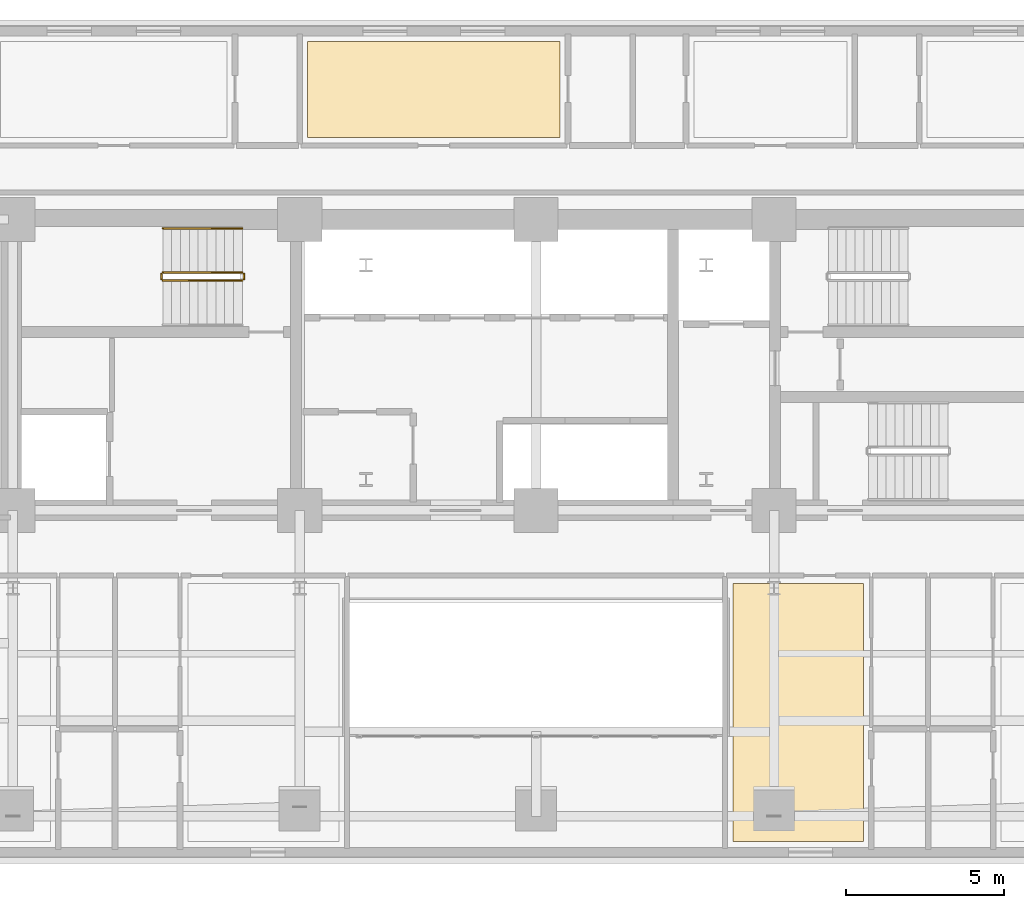
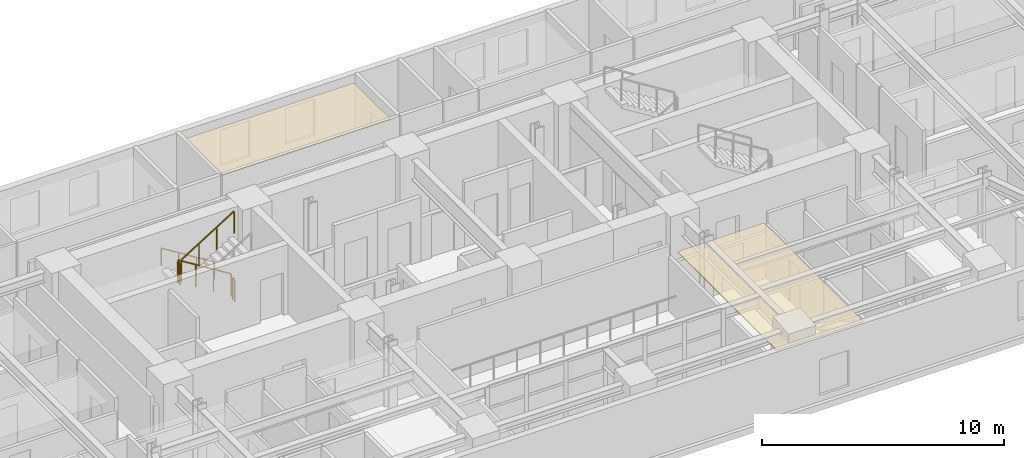
# One storey, part 15 of 16: 5 railings, 2 coverings.
"""IFC4 building model written with IfcOpenShell, lengths in metres."""

from ifc_helpers import new_model, si_unit, direction, frame, origin, origin_2d, place, context, subcontext, project, spatial, polyline, rectangle, outline, extrude, material, layer, layer_set, type_object, element, save


model = new_model("IFC4")

# Units and contexts
model_context = context("Model", 3, precision=1e-05, world=origin(), true_north=direction((0.0, 1.0)))
body_context = subcontext(model_context, "Body", "Model", "MODEL_VIEW")
ifc_project = project(units=[si_unit("LENGTHUNIT", "METRE"), si_unit("AREAUNIT", "SQUARE_METRE"), si_unit("VOLUMEUNIT", "CUBIC_METRE"), si_unit("PLANEANGLEUNIT", "RADIAN"), si_unit("MASSUNIT", "GRAM", prefix="KILO")], contexts=[model_context])

# Site, building, storey
site_placement = place(None, origin())
site = spatial("IfcSite", under=ifc_project, at=site_placement, CompositionType="ELEMENT")
building_placement = place(site_placement, origin())
building = spatial("IfcBuilding", under=site, at=building_placement, Name="Zarnavel Station Tower", CompositionType="ELEMENT")
storey_placement = place(building_placement, frame((0.0, 0.0, 86.300048828125)))
storey = spatial("IfcBuildingStorey", under=building, at=storey_placement, Name="L23", CompositionType="ELEMENT", Elevation=86.300048828125)

# Coverings
ifc_material_1 = material(Name="Perforated Gypsum and Mineral-Wool Acoustic Ceiling", Category="concrete")
ifc_layer = layer(ifc_material_1, 0.0400390625)
ifc_layer_set = layer_set([ifc_layer], Name="COV_CEIL_ACOUSTIC")
covering_type = type_object("IfcCoveringType", Name="COV_CEIL_ACOUSTIC", PredefinedType="CEILING", material=ifc_layer_set)
covering_1_placement = place(storey_placement, frame((0.0, 0.0, 2.919921875)))
element("IfcCovering", 1, at=covering_1_placement, inside=storey, type_object=covering_type, Name="L23 HN2R Acoustic Ceiling", PredefinedType="CEILING", context=body_context, shape_type="SweptSolid", body=[
    extrude(outline(polyline([(21.550048828125, 39.64990234375), (29.56494140625, 39.64990234375), (29.56494140625, 42.68994140625), (21.550048828125, 42.68994140625), (21.550048828125, 39.64990234375)])), origin(), (0.0, 0.0, 1.0), 0.0400390625),
])
covering_2_placement = place(storey_placement, frame((0.0, 0.0, 2.919921875)))
element("IfcCovering", 2, at=covering_2_placement, inside=storey, type_object=covering_type, Name="L23 HE1R Acoustic Ceiling", PredefinedType="CEILING", context=body_context, shape_type="SweptSolid", body=[
    extrude(outline(polyline([(35.050048828125, 17.31005859375), (39.18701171875, 17.31005859375), (39.18701171875, 25.5), (35.050048828125, 25.5), (35.050048828125, 17.31005859375)])), origin(), (0.0, 0.0, 1.0), 0.0400390625),
])

# Railings
ifc_material_2 = material(Name="Painted Steel S355J2 Balustrade", Category="steel")
railing_type_1 = type_object("IfcRailingType", Name="GR_INT_1150", PredefinedType="GUARDRAIL", material=ifc_material_2)
railing_1_placement = place(storey_placement, frame((19.47998046875, 35.3701171875, 0.175048828125)))
element("IfcRailing", 3, at=railing_1_placement, inside=storey, type_object=railing_type_1, Name="L23 ST1 stair guard 1", PredefinedType="GUARDRAIL", context=body_context, shape_type="SweptSolid", body=[
    extrude(rectangle(XDim=0.048095703125, YDim=0.048095703125, at=origin_2d()), frame((-0.001708984375, 0.0, 1.126953125), z_axis=(-0.848007534815, 0.0, 0.529984170421), x_axis=(0.0, -1.0, 0.0)), (0.0, 0.0, 1.0), 2.9677734375),
    extrude(rectangle(XDim=0.0419921875, YDim=0.0419921875, at=origin_2d()), origin(), (0.0, 0.0, 1.0), 1.101806640625),
    extrude(rectangle(XDim=0.0419921875, YDim=0.0419921875, at=origin_2d()), frame((-0.840087890625, 0.0, 0.52490234375)), (0.0, 0.0, 1.0), 1.101806640625),
    extrude(rectangle(XDim=0.0419921875, YDim=0.0419921875, at=origin_2d()), frame((-1.679931640625, 0.0, 1.050048828125)), (0.0, 0.0, 1.0), 1.101806640625),
    extrude(rectangle(XDim=0.0419921875, YDim=0.0419921875, at=origin_2d()), frame((-2.52001953125, 0.0, 1.574951171875)), (0.0, 0.0, 1.0), 1.101806640625),
])
railing_2_placement = place(storey_placement, frame((16.909912109375, 35.320068359375, 1.75)))
element("IfcRailing", 4, at=railing_2_placement, inside=storey, type_object=railing_type_1, Name="L23 ST1 stair guard 2", PredefinedType="GUARDRAIL", context=body_context, shape_type="SweptSolid", body=[
    extrude(rectangle(XDim=0.048095703125, YDim=0.048095703125, at=origin_2d()), frame((0.0, -0.001953125, 1.1259765625), z_axis=(0.0, -1.0, 0.0), x_axis=(1.0, 0.0, 0.0)), (0.0, 0.0, 1.0), 0.15625),
    extrude(rectangle(XDim=0.0419921875, YDim=0.0419921875, at=origin_2d()), origin(), (0.0, 0.0, 1.0), 1.101806640625),
    extrude(rectangle(XDim=0.0419921875, YDim=0.0419921875, at=origin_2d()), frame((0.0, -0.16015625, 0.0)), (0.0, 0.0, 1.0), 1.101806640625),
])
railing_3_placement = place(storey_placement, frame((16.9599609375, 35.110107421875, 1.925048828125)))
element("IfcRailing", 5, at=railing_3_placement, inside=storey, type_object=railing_type_1, Name="L23 ST1 stair guard 3", PredefinedType="GUARDRAIL", context=body_context, shape_type="SweptSolid", body=[
    extrude(rectangle(XDim=0.048095703125, YDim=0.048095703125, at=origin_2d()), frame((0.001708984375, 0.0, 1.126953125), z_axis=(0.848007534815, 0.0, 0.529984170421), x_axis=(0.0, 1.0, 0.0)), (0.0, 0.0, 1.0), 2.9677734375),
    extrude(rectangle(XDim=0.0419921875, YDim=0.0419921875, at=origin_2d()), origin(), (0.0, 0.0, 1.0), 1.101806640625),
    extrude(rectangle(XDim=0.0419921875, YDim=0.0419921875, at=origin_2d()), frame((0.840087890625, 0.0, 0.52490234375)), (0.0, 0.0, 1.0), 1.101806640625),
    extrude(rectangle(XDim=0.0419921875, YDim=0.0419921875, at=origin_2d()), frame((1.679931640625, 0.0, 1.050048828125)), (0.0, 0.0, 1.0), 1.101806640625),
    extrude(rectangle(XDim=0.0419921875, YDim=0.0419921875, at=origin_2d()), frame((2.52001953125, 0.0, 1.574951171875)), (0.0, 0.0, 1.0), 1.101806640625),
])
railing_4_placement = place(storey_placement, frame((19.530029296875, 35.320068359375, 0.0)))
element("IfcRailing", 6, at=railing_4_placement, inside=storey, type_object=railing_type_1, Name="L23 ST1 stair guard 4", PredefinedType="GUARDRAIL", context=body_context, shape_type="SweptSolid", body=[
    extrude(rectangle(XDim=0.048095703125, YDim=0.048095703125, at=origin_2d()), frame((0.0, -0.001953125, 1.1259765625), z_axis=(0.0, -1.0, 0.0), x_axis=(1.0, 0.0, 0.0)), (0.0, 0.0, 1.0), 0.15625),
    extrude(rectangle(XDim=0.0419921875, YDim=0.0419921875, at=origin_2d()), origin(), (0.0, 0.0, 1.0), 1.101806640625),
    extrude(rectangle(XDim=0.0419921875, YDim=0.0419921875, at=origin_2d()), frame((0.0, -0.16015625, 0.0)), (0.0, 0.0, 1.0), 1.101806640625),
])
ifc_material_3 = material(Name="Brushed Stainless Steel S355J2 Handrail", Category="steel")
railing_type_2 = type_object("IfcRailingType", Name="HR_STAIR_900", PredefinedType="HANDRAIL", material=ifc_material_3)
railing_5_placement = place(storey_placement, frame((19.47998046875, 36.77001953125, 0.175048828125)))
element("IfcRailing", 7, at=railing_5_placement, inside=storey, type_object=railing_type_2, Name="L23 ST1 stair handrail 1", PredefinedType="HANDRAIL", context=body_context, shape_type="SweptSolid", body=[
    extrude(rectangle(XDim=0.048095703125, YDim=0.048095703125, at=origin_2d()), frame((-0.001708984375, 0.0, 0.876953125), z_axis=(-0.848007534815, 0.0, 0.529984170421), x_axis=(0.0, -1.0, 0.0)), (0.0, 0.0, 1.0), 2.9677734375),
    extrude(rectangle(XDim=0.0419921875, YDim=0.0419921875, at=origin_2d()), origin(), (0.0, 0.0, 1.0), 0.851806640625),
    extrude(rectangle(XDim=0.0419921875, YDim=0.0419921875, at=origin_2d()), frame((-0.840087890625, 0.0, 0.52490234375)), (0.0, 0.0, 1.0), 0.851806640625),
    extrude(rectangle(XDim=0.0419921875, YDim=0.0419921875, at=origin_2d()), frame((-1.679931640625, 0.0, 1.050048828125)), (0.0, 0.0, 1.0), 0.851806640625),
    extrude(rectangle(XDim=0.0419921875, YDim=0.0419921875, at=origin_2d()), frame((-2.52001953125, 0.0, 1.574951171875)), (0.0, 0.0, 1.0), 0.851806640625),
])

save(model, "model.ifc")
